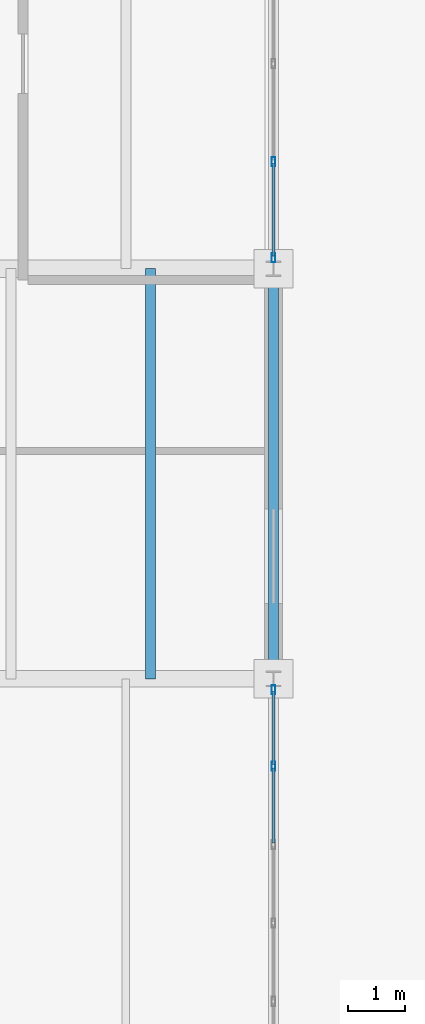
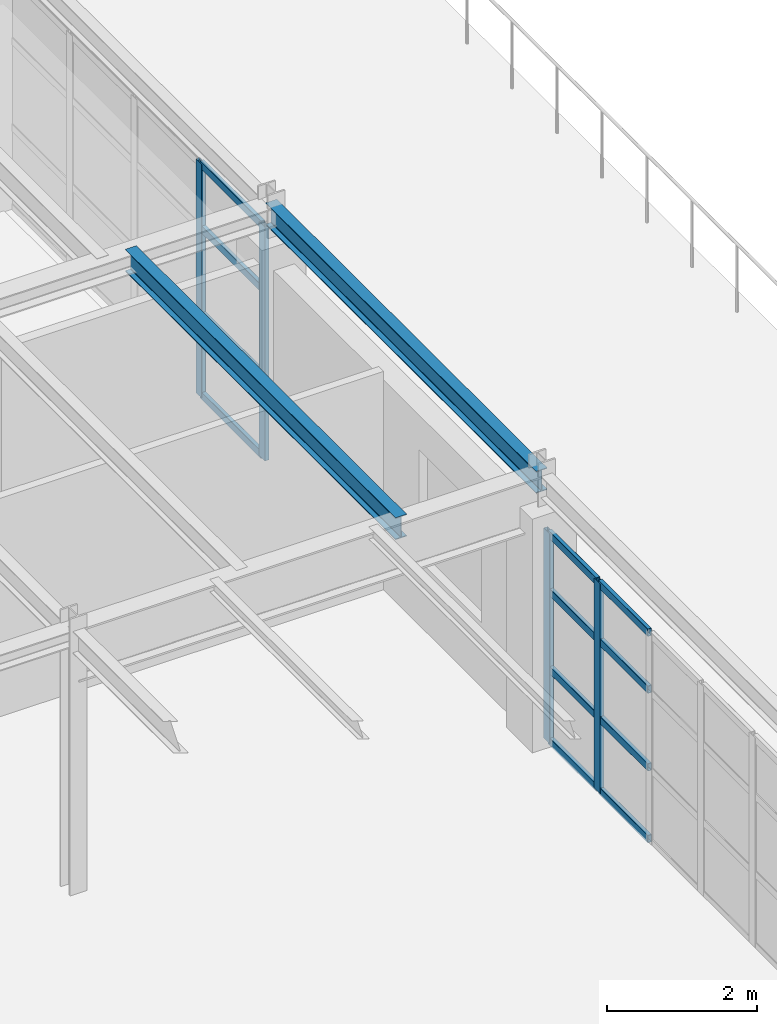
# One storey, part 47 of 101: 16 members, 2 beams, 2 elements without a shape of their own.
"""IFC4 building model written with IfcOpenShell, lengths in metres."""

from ifc_helpers import new_model, si_unit, direction, frame, origin, origin_2d, place, context, subcontext, project, spatial, hollow_rectangle, i_section, extrude, material, layer, layer_set, material_profile, profile_set, type_object, element, aggregate, save


model = new_model("IFC4")

# Units and contexts
model_context = context("Model", 3, precision=1e-05, world=origin(), true_north=direction((0.0, 1.0)))
body_context = subcontext(model_context, "Body", "Model", "MODEL_VIEW")
ifc_project = project(units=[si_unit("LENGTHUNIT", "METRE"), si_unit("AREAUNIT", "SQUARE_METRE"), si_unit("VOLUMEUNIT", "CUBIC_METRE"), si_unit("PLANEANGLEUNIT", "RADIAN"), si_unit("MASSUNIT", "GRAM", prefix="KILO")], contexts=[model_context])

# Site, building, storey
site_placement = place(None, origin())
site = spatial("IfcSite", under=ifc_project, at=site_placement, CompositionType="ELEMENT")
building_placement = place(site_placement, origin())
building = spatial("IfcBuilding", under=site, at=building_placement, Name="Kemerveld Promenade Tramway Depot", CompositionType="ELEMENT")
storey_placement = place(building_placement, frame((0.0, 0.0, 9.89990234375)))
storey = spatial("IfcBuildingStorey", under=building, at=storey_placement, Name="L02", CompositionType="ELEMENT", Elevation=9.89990234375)

# Beams
ifc_material_1 = material(Name="Steel S355", Category="steel")
ifc_material_profile_1 = material_profile(ifc_material_1, i_section(OverallWidth=0.172119140625, OverallDepth=0.35791015625, WebThickness=0.008056640625, FlangeThickness=0.012939453125, FilletRadius=0.01025390625, at=origin_2d()), Name="356x171x57 UB")
ifc_profile_set_1 = profile_set([ifc_material_profile_1], Name="Steel S355")
beam_type_1 = type_object("IfcBeamType", Name="BM-G08", PredefinedType="BEAM", material=ifc_profile_set_1)
beam_1_placement = place(storey_placement, frame((50.39990234375, 50.39990234375, 4.106201171875), z_axis=(0.0, 1.0, 0.0), x_axis=(-1.0, 0.0, 0.0)))
element("IfcBeam", 1, at=beam_1_placement, inside=storey, type_object=beam_type_1, Name="BMY-L02-08-H-J", PredefinedType="BEAM", context=body_context, shape_type="SweptSolid", body=[
    extrude(i_section(OverallWidth=0.172119140625, OverallDepth=0.35791015625, WebThickness=0.008056640625, FlangeThickness=0.012939453125, FilletRadius=0.01025390625, at=origin_2d()), origin(), (0.0, 0.0, 1.0), 7.2001953125),
])
ifc_material_profile_2 = material_profile(ifc_material_1, i_section(OverallWidth=0.172119140625, OverallDepth=0.35791015625, WebThickness=0.008056640625, FlangeThickness=0.012939453125, FilletRadius=0.01025390625, at=origin_2d()), Name="356x171x57 UB")
ifc_profile_set_2 = profile_set([ifc_material_profile_2], Name="Steel S355")
beam_type_2 = type_object("IfcBeamType", Name="BM-J04", PredefinedType="JOIST", material=ifc_profile_set_2)
beam_2_placement = place(storey_placement, frame((48.239990234375, 50.39990234375, 4.106201171875), z_axis=(0.0, 1.0, 0.0), x_axis=(-1.0, 0.0, 0.0)))
element("IfcBeam", 2, at=beam_2_placement, inside=storey, type_object=beam_type_2, Name="JST-L02-07-H-2", PredefinedType="JOIST", context=body_context, shape_type="SweptSolid", body=[
    extrude(i_section(OverallWidth=0.172119140625, OverallDepth=0.35791015625, WebThickness=0.008056640625, FlangeThickness=0.012939453125, FilletRadius=0.01025390625, at=origin_2d()), origin(), (0.0, 0.0, 1.0), 7.2001953125),
])

# Curtain wall, members
ifc_material_2 = material(Name="Bronze anodised aluminium and solar glass", Category="aluminium")
ifc_layer_1 = layer(ifc_material_2, 0.159912109375)
ifc_layer_set_1 = layer_set([ifc_layer_1], Name="CW-SYS-05")
curtain_wall_type_1 = type_object("IfcCurtainWallType", Name="CW-SYS-05", PredefinedType="USERDEFINED", material=ifc_layer_set_1)
curtain_wall_1_placement = place(storey_placement, origin())
curtain_wall_1 = element("IfcCurtainWall", 3, at=curtain_wall_1_placement, inside=storey, type_object=curtain_wall_type_1, Name="CW-L02-V5E-02", ObjectType="GLAZED_CURTAIN_WALL", PredefinedType="USERDEFINED")
ifc_material_3 = material(Name="Bronze anodised aluminium", Category="aluminium")
ifc_material_profile_3 = material_profile(ifc_material_3, hollow_rectangle(XDim=0.06494140625, YDim=0.159912109375, WallThickness=0.00390625, InnerFilletRadius=0.001953125, OuterFilletRadius=0.00390625, at=origin_2d()), Name="CW-MUL-160x65")
ifc_profile_set_3 = profile_set([ifc_material_profile_3], Name="Bronze anodised aluminium")
member_type_1 = type_object("IfcMemberType", Name="CW-MUL-A", PredefinedType="MULLION", material=ifc_profile_set_3)
member_1_placement = place(storey_placement, frame((50.39990234375, 59.47900390625, 0.0), z_axis=(0.0, 0.0, 1.0), x_axis=(1.0, 0.0, 0.0)))
member_1 = element("IfcMember", 4, at=member_1_placement, type_object=member_type_1, Name="CW05 mullion 4", PredefinedType="MULLION", context=body_context, shape_type="SweptSolid", body=[
    extrude(hollow_rectangle(XDim=0.06494140625, YDim=0.159912109375, WallThickness=0.00390625, InnerFilletRadius=0.001953125, OuterFilletRadius=0.00390625, at=origin_2d()), origin(), (0.0, 0.0, 1.0), 3.800048828125),
])
member_2_placement = place(storey_placement, frame((50.39990234375, 57.790771484375, 0.0), z_axis=(0.0, 0.0, 1.0), x_axis=(1.0, 0.0, 0.0)))
member_2 = element("IfcMember", 5, at=member_2_placement, type_object=member_type_1, Name="CW05 mullion 5", PredefinedType="MULLION", context=body_context, shape_type="SweptSolid", body=[
    extrude(hollow_rectangle(XDim=0.06494140625, YDim=0.159912109375, WallThickness=0.00390625, InnerFilletRadius=0.001953125, OuterFilletRadius=0.00390625, at=origin_2d()), origin(), (0.0, 0.0, 1.0), 3.800048828125),
])

ifc_layer_2 = layer(ifc_material_2, 0.159912109375)
ifc_layer_set_2 = layer_set([ifc_layer_2], Name="CW-SYS-07")
curtain_wall_type_2 = type_object("IfcCurtainWallType", Name="CW-SYS-07", PredefinedType="USERDEFINED", material=ifc_layer_set_2)
curtain_wall_2_placement = place(storey_placement, origin())
curtain_wall_2 = element("IfcCurtainWall", 6, at=curtain_wall_2_placement, inside=storey, type_object=curtain_wall_type_2, Name="CW-L02-V5E-04", ObjectType="GLAZED_CURTAIN_WALL", PredefinedType="USERDEFINED")
member_3_placement = place(storey_placement, frame((50.39990234375, 50.209228515625, 0.0), z_axis=(0.0, 0.0, 1.0), x_axis=(1.0, 0.0, 0.0)))
member_3 = element("IfcMember", 7, at=member_3_placement, type_object=member_type_1, Name="CW07 mullion 1", PredefinedType="MULLION", context=body_context, shape_type="SweptSolid", body=[
    extrude(hollow_rectangle(XDim=0.06494140625, YDim=0.159912109375, WallThickness=0.00390625, InnerFilletRadius=0.001953125, OuterFilletRadius=0.00390625, at=origin_2d()), origin(), (0.0, 0.0, 1.0), 3.414306640625),
])
member_4_placement = place(storey_placement, frame((50.39990234375, 48.864990234375, 0.0), z_axis=(0.0, 0.0, 1.0), x_axis=(1.0, 0.0, 0.0)))
member_4 = element("IfcMember", 8, at=member_4_placement, type_object=member_type_1, Name="CW07 mullion 2", PredefinedType="MULLION", context=body_context, shape_type="SweptSolid", body=[
    extrude(hollow_rectangle(XDim=0.06494140625, YDim=0.159912109375, WallThickness=0.00390625, InnerFilletRadius=0.001953125, OuterFilletRadius=0.00390625, at=origin_2d()), origin(), (0.0, 0.0, 1.0), 3.414306640625),
])

# Member
ifc_material_profile_4 = material_profile(ifc_material_3, hollow_rectangle(XDim=0.06005859375, YDim=0.1201171875, WallThickness=0.00390625, InnerFilletRadius=0.001953125, OuterFilletRadius=0.00390625, at=origin_2d()), Name="CW-TRN-120x60")
ifc_profile_set_4 = profile_set([ifc_material_profile_4], Name="Bronze anodised aluminium")
member_type_2 = type_object("IfcMemberType", Name="CW-TRN-A", PredefinedType="USERDEFINED", material=ifc_profile_set_4)
member_5_placement = place(storey_placement, frame((50.39990234375, 59.446533203125, 0.030029296875), z_axis=(0.0, -1.0, 0.0), x_axis=(1.0, 0.0, 0.0)))
member_5 = element("IfcMember", 9, at=member_5_placement, type_object=member_type_2, Name="CW05 transom 4.1", ObjectType="TRANSOM", PredefinedType="USERDEFINED", context=body_context, shape_type="SweptSolid", body=[
    extrude(hollow_rectangle(XDim=0.06005859375, YDim=0.1201171875, WallThickness=0.00390625, InnerFilletRadius=0.001953125, OuterFilletRadius=0.00390625, at=origin_2d()), origin(), (0.0, 0.0, 1.0), 1.623291015625),
])

member_6_placement = place(storey_placement, frame((50.39990234375, 59.446533203125, 1.330078125), z_axis=(0.0, -1.0, 0.0), x_axis=(1.0, 0.0, 0.0)))
member_6 = element("IfcMember", 10, at=member_6_placement, type_object=member_type_2, Name="CW05 transom 4.2", ObjectType="TRANSOM", PredefinedType="USERDEFINED", context=body_context, shape_type="SweptSolid", body=[
    extrude(hollow_rectangle(XDim=0.06005859375, YDim=0.1201171875, WallThickness=0.00390625, InnerFilletRadius=0.001953125, OuterFilletRadius=0.00390625, at=origin_2d()), origin(), (0.0, 0.0, 1.0), 1.623291015625),
])

member_7_placement = place(storey_placement, frame((50.39990234375, 59.446533203125, 2.736083984375), z_axis=(0.0, -1.0, 0.0), x_axis=(1.0, 0.0, 0.0)))
member_7 = element("IfcMember", 11, at=member_7_placement, type_object=member_type_2, Name="CW05 transom 4.3", ObjectType="TRANSOM", PredefinedType="USERDEFINED", context=body_context, shape_type="SweptSolid", body=[
    extrude(hollow_rectangle(XDim=0.06005859375, YDim=0.1201171875, WallThickness=0.00390625, InnerFilletRadius=0.001953125, OuterFilletRadius=0.00390625, at=origin_2d()), origin(), (0.0, 0.0, 1.0), 1.623291015625),
])

member_8_placement = place(storey_placement, frame((50.39990234375, 59.446533203125, 3.77001953125), z_axis=(0.0, -1.0, 0.0), x_axis=(1.0, 0.0, 0.0)))
member_8 = element("IfcMember", 12, at=member_8_placement, type_object=member_type_2, Name="CW05 transom 4.4", ObjectType="TRANSOM", PredefinedType="USERDEFINED", context=body_context, shape_type="SweptSolid", body=[
    extrude(hollow_rectangle(XDim=0.06005859375, YDim=0.1201171875, WallThickness=0.00390625, InnerFilletRadius=0.001953125, OuterFilletRadius=0.00390625, at=origin_2d()), origin(), (0.0, 0.0, 1.0), 1.623291015625),
])

aggregate(curtain_wall_1, [member_1, member_2, member_5, member_6, member_7, member_8])

member_9_placement = place(storey_placement, frame((50.39990234375, 50.1767578125, 0.030029296875), z_axis=(0.0, -1.0, 0.0), x_axis=(1.0, 0.0, 0.0)))
member_9 = element("IfcMember", 13, at=member_9_placement, type_object=member_type_2, Name="CW07 transom 1.1", ObjectType="TRANSOM", PredefinedType="USERDEFINED", context=body_context, shape_type="SweptSolid", body=[
    extrude(hollow_rectangle(XDim=0.06005859375, YDim=0.1201171875, WallThickness=0.00390625, InnerFilletRadius=0.001953125, OuterFilletRadius=0.00390625, at=origin_2d()), origin(), (0.0, 0.0, 1.0), 1.279296875),
])

member_10_placement = place(storey_placement, frame((50.39990234375, 50.1767578125, 1.195068359375), z_axis=(0.0, -1.0, 0.0), x_axis=(1.0, 0.0, 0.0)))
member_10 = element("IfcMember", 14, at=member_10_placement, type_object=member_type_2, Name="CW07 transom 1.2", ObjectType="TRANSOM", PredefinedType="USERDEFINED", context=body_context, shape_type="SweptSolid", body=[
    extrude(hollow_rectangle(XDim=0.06005859375, YDim=0.1201171875, WallThickness=0.00390625, InnerFilletRadius=0.001953125, OuterFilletRadius=0.00390625, at=origin_2d()), origin(), (0.0, 0.0, 1.0), 1.279296875),
])

member_11_placement = place(storey_placement, frame((50.39990234375, 50.1767578125, 2.4580078125), z_axis=(0.0, -1.0, 0.0), x_axis=(1.0, 0.0, 0.0)))
member_11 = element("IfcMember", 15, at=member_11_placement, type_object=member_type_2, Name="CW07 transom 1.3", ObjectType="TRANSOM", PredefinedType="USERDEFINED", context=body_context, shape_type="SweptSolid", body=[
    extrude(hollow_rectangle(XDim=0.06005859375, YDim=0.1201171875, WallThickness=0.00390625, InnerFilletRadius=0.001953125, OuterFilletRadius=0.00390625, at=origin_2d()), origin(), (0.0, 0.0, 1.0), 1.279296875),
])

member_12_placement = place(storey_placement, frame((50.39990234375, 50.1767578125, 3.38427734375), z_axis=(0.0, -1.0, 0.0), x_axis=(1.0, 0.0, 0.0)))
member_12 = element("IfcMember", 16, at=member_12_placement, type_object=member_type_2, Name="CW07 transom 1.4", ObjectType="TRANSOM", PredefinedType="USERDEFINED", context=body_context, shape_type="SweptSolid", body=[
    extrude(hollow_rectangle(XDim=0.06005859375, YDim=0.1201171875, WallThickness=0.00390625, InnerFilletRadius=0.001953125, OuterFilletRadius=0.00390625, at=origin_2d()), origin(), (0.0, 0.0, 1.0), 1.279296875),
])

member_13_placement = place(storey_placement, frame((50.39990234375, 48.83251953125, 0.030029296875), z_axis=(0.0, -1.0, 0.0), x_axis=(1.0, 0.0, 0.0)))
member_13 = element("IfcMember", 17, at=member_13_placement, type_object=member_type_2, Name="CW07 transom 2.1", ObjectType="TRANSOM", PredefinedType="USERDEFINED", context=body_context, shape_type="SweptSolid", body=[
    extrude(hollow_rectangle(XDim=0.06005859375, YDim=0.1201171875, WallThickness=0.00390625, InnerFilletRadius=0.001953125, OuterFilletRadius=0.00390625, at=origin_2d()), origin(), (0.0, 0.0, 1.0), 1.311767578125),
])

member_14_placement = place(storey_placement, frame((50.39990234375, 48.83251953125, 1.195068359375), z_axis=(0.0, -1.0, 0.0), x_axis=(1.0, 0.0, 0.0)))
member_14 = element("IfcMember", 18, at=member_14_placement, type_object=member_type_2, Name="CW07 transom 2.2", ObjectType="TRANSOM", PredefinedType="USERDEFINED", context=body_context, shape_type="SweptSolid", body=[
    extrude(hollow_rectangle(XDim=0.06005859375, YDim=0.1201171875, WallThickness=0.00390625, InnerFilletRadius=0.001953125, OuterFilletRadius=0.00390625, at=origin_2d()), origin(), (0.0, 0.0, 1.0), 1.311767578125),
])

member_15_placement = place(storey_placement, frame((50.39990234375, 48.83251953125, 2.4580078125), z_axis=(0.0, -1.0, 0.0), x_axis=(1.0, 0.0, 0.0)))
member_15 = element("IfcMember", 19, at=member_15_placement, type_object=member_type_2, Name="CW07 transom 2.3", ObjectType="TRANSOM", PredefinedType="USERDEFINED", context=body_context, shape_type="SweptSolid", body=[
    extrude(hollow_rectangle(XDim=0.06005859375, YDim=0.1201171875, WallThickness=0.00390625, InnerFilletRadius=0.001953125, OuterFilletRadius=0.00390625, at=origin_2d()), origin(), (0.0, 0.0, 1.0), 1.311767578125),
])

member_16_placement = place(storey_placement, frame((50.39990234375, 48.83251953125, 3.38427734375), z_axis=(0.0, -1.0, 0.0), x_axis=(1.0, 0.0, 0.0)))
member_16 = element("IfcMember", 20, at=member_16_placement, type_object=member_type_2, Name="CW07 transom 2.4", ObjectType="TRANSOM", PredefinedType="USERDEFINED", context=body_context, shape_type="SweptSolid", body=[
    extrude(hollow_rectangle(XDim=0.06005859375, YDim=0.1201171875, WallThickness=0.00390625, InnerFilletRadius=0.001953125, OuterFilletRadius=0.00390625, at=origin_2d()), origin(), (0.0, 0.0, 1.0), 1.311767578125),
])

aggregate(curtain_wall_2, [member_3, member_4, member_9, member_10, member_11, member_12, member_13, member_14, member_15, member_16])

save(model, "model.ifc")
